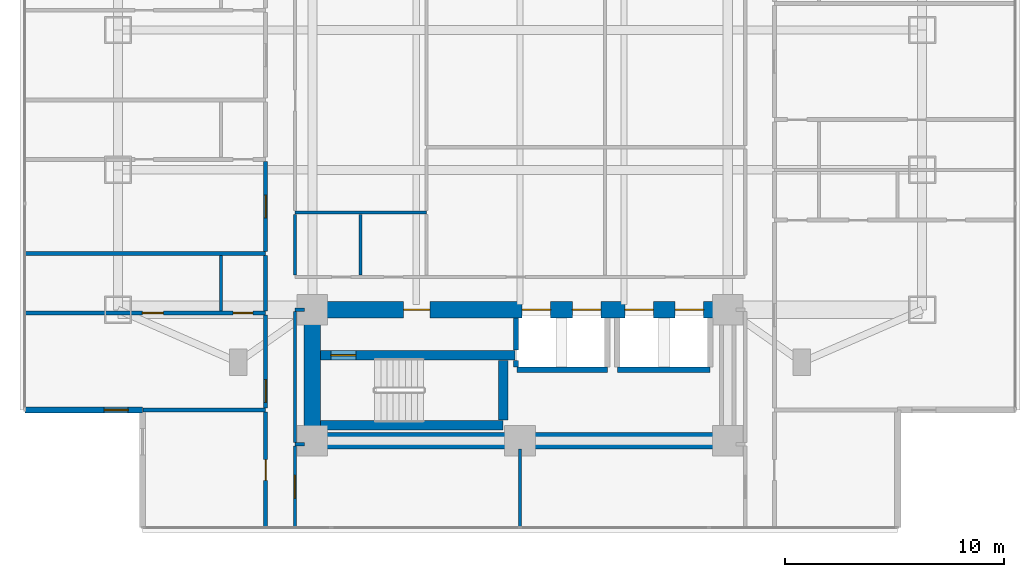
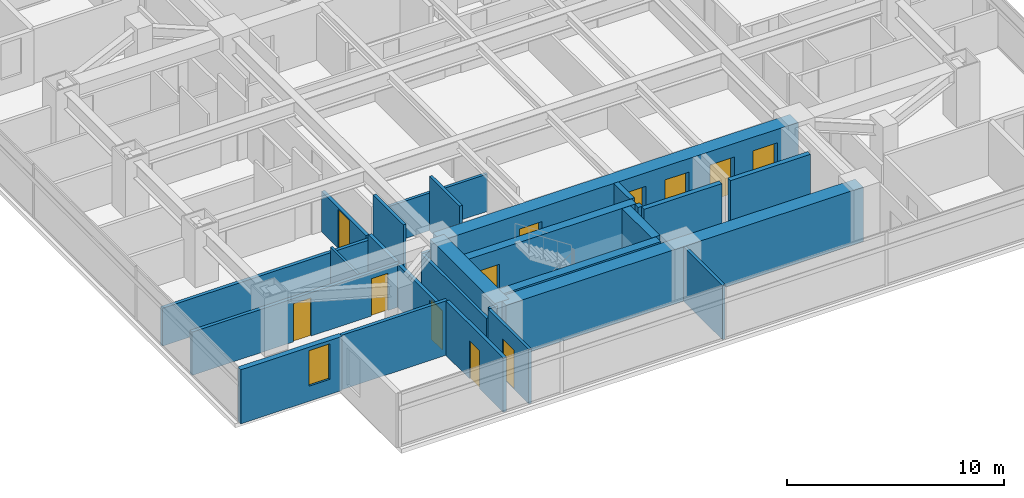
# One storey, part 14 of 27: 27 walls, 12 doors, 1 window, 13 openings.
"""IFC4 building model written with IfcOpenShell, lengths in metres."""

from ifc_helpers import new_model, si_unit, direction, frame, frame_2d, origin, place, context, subcontext, project, spatial, rectangle, extrude, material, layer, layer_set, type_object, element, fill, save


model = new_model("IFC4")

# Units and contexts
model_context = context("Model", 3, precision=1e-05, world=origin(), true_north=direction((0.0, 1.0)))
body_context = subcontext(model_context, "Body", "Model", "MODEL_VIEW")
ifc_project = project(units=[si_unit("LENGTHUNIT", "METRE"), si_unit("AREAUNIT", "SQUARE_METRE"), si_unit("VOLUMEUNIT", "CUBIC_METRE"), si_unit("PLANEANGLEUNIT", "RADIAN"), si_unit("MASSUNIT", "GRAM", prefix="KILO")], contexts=[model_context])

# Site, building, storey
site_placement = place(None, origin())
site = spatial("IfcSite", under=ifc_project, at=site_placement, CompositionType="ELEMENT")
building_placement = place(site_placement, origin())
building = spatial("IfcBuilding", under=site, at=building_placement, Name="Mirazonda Arch Towers", CompositionType="ELEMENT")
storey_placement = place(building_placement, frame((0.0, 0.0, 42.199951171875)))
storey = spatial("IfcBuildingStorey", under=building, at=storey_placement, Name="L11", CompositionType="ELEMENT", Elevation=42.199951171875)

# Wall
ifc_material_1 = material(Name="Concrete C50/60", Category="concrete")
ifc_layer_1 = layer(ifc_material_1, 0.449951171875, Name="WALL-CORE-450")
ifc_layer_set_1 = layer_set([ifc_layer_1], Name="Concrete C50/60")
wall_type_1 = type_object("IfcWallType", Name="WALL-CORE-450", PredefinedType="SHEAR", material=ifc_layer_set_1)
wall_1_placement = place(storey_placement, frame((11.3701171875, 13.1201171875, 0.0), z_axis=(0.0, 0.0, 1.0), x_axis=(1.0, 0.0, 0.0)))
element("IfcWall", 1, at=wall_1_placement, inside=storey, type_object=wall_type_1, Name="L11 Stair Core Shear Wall 003", PredefinedType="SHEAR", context=body_context, shape_type="SweptSolid", body=[
    extrude(rectangle(XDim=8.35986328125, YDim=0.449951171875, at=frame_2d((4.179931640625, 0.0))), origin(), (0.0, 0.0, 1.0), 3.06005859375),
])

# Wall, opening, door
wall_2_placement = place(storey_placement, frame((11.3701171875, 16.320068359375, 0.0), z_axis=(0.0, 0.0, 1.0), x_axis=(1.0, 0.0, 0.0)))
wall_2 = element("IfcWall", 2, at=wall_2_placement, inside=storey, type_object=wall_type_1, Name="L11 Stair Core Shear Wall 010", PredefinedType="SHEAR", context=body_context, shape_type="SweptSolid", body=[
    extrude(rectangle(XDim=8.909912109375, YDim=0.449951171875, at=frame_2d((4.455078125, 0.0))), origin(), (0.0, 0.0, 1.0), 3.06005859375),
])
opening_1_placement = place(wall_2_placement, frame((0.469970703125, 0.0, 0.0)))
opening_1 = element("IfcOpeningElement", 3, at=opening_1_placement, cuts=wall_2, Name="Opening DR-135", PredefinedType="OPENING", context=body_context, shape_type="SweptSolid", body=[
    extrude(rectangle(XDim=1.14990234375, YDim=2.199951171875, at=frame_2d((0.574951171875, 1.10009765625))), frame((0.0, 0.23486328125, 0.0), z_axis=(0.0, -1.0, 0.0), x_axis=(1.0, 0.0, 0.0)), (0.0, 0.0, 1.0), 0.469970703125),
])
ifc_material_2 = material(Name="Architectural Brushed Steel S355", Category="steel")
door_type_1 = type_object("IfcDoorType", Name="DOOR-STAIR-FD90-1150", OperationType="NOTDEFINED", PredefinedType="DOOR", material=ifc_material_2)
door_1_placement = place(opening_1_placement, origin())
door_1 = element("IfcDoor", 4, at=door_1_placement, inside=storey, type_object=door_type_1, Name="L11 Protected Exit Stair South Door", OperationType="SINGLE_SWING_LEFT", OverallHeight=2.199951171875, OverallWidth=1.14990234375, PredefinedType="DOOR", context=body_context, shape_type="SweptSolid", body=[
    extrude(rectangle(XDim=1.14990234375, YDim=2.199951171875, at=frame_2d((0.574951171875, 1.10009765625))), frame((0.0, 0.02490234375, 0.0), z_axis=(0.0, -1.0, 0.0), x_axis=(1.0, 0.0, 0.0)), (0.0, 0.0, 1.0), 0.050048828125),
])
fill(opening_1, door_1)

# Walls
wall_3_placement = place(storey_placement, frame((19.72998046875, 13.35498046875, 0.0), z_axis=(0.0, 0.0, 1.0), x_axis=(0.0, 1.0, 0.0)))
element("IfcWall", 5, at=wall_3_placement, inside=storey, type_object=wall_type_1, Name="L11 Stair Core Shear Wall 091", PredefinedType="SHEAR", context=body_context, shape_type="SweptSolid", body=[
    extrude(rectangle(XDim=2.72998046875, YDim=0.449951171875, at=frame_2d((1.364990234375, 0.0))), origin(), (0.0, 0.0, 1.0), 3.06005859375),
])
ifc_material_3 = material(Name="Concrete C60/75", Category="concrete")
ifc_layer_2 = layer(ifc_material_3, 0.75, Name="WALL-CORE-750")
ifc_layer_set_2 = layer_set([ifc_layer_2], Name="Concrete C60/75")
wall_type_2 = type_object("IfcWallType", Name="WALL-CORE-750", PredefinedType="SHEAR", material=ifc_layer_set_2)
wall_4_placement = place(storey_placement, frame((11.0, 12.39990234375, 0.0), z_axis=(0.0, 0.0, 1.0), x_axis=(1.0, 0.0, 0.0)))
element("IfcWall", 6, at=wall_4_placement, inside=storey, type_object=wall_type_2, Name="L11 T1S-S Core Shear Wall", PredefinedType="SHEAR", context=body_context, shape_type="SweptSolid", body=[
    extrude(rectangle(XDim=19.0, YDim=0.75, at=frame_2d((9.5, 0.0))), origin(), (0.0, 0.0, 1.0), 3.06005859375),
])
wall_5_placement = place(storey_placement, frame((11.0, 12.39990234375, 0.0), z_axis=(0.0, 0.0, 1.0), x_axis=(0.0, 1.0, 0.0)))
element("IfcWall", 7, at=wall_5_placement, inside=storey, type_object=wall_type_2, Name="L11 T1S-W Core Shear Wall", PredefinedType="SHEAR", context=body_context, shape_type="SweptSolid", body=[
    extrude(rectangle(XDim=6.0, YDim=0.75, at=frame_2d((3.0, 0.0))), origin(), (0.0, 0.0, 1.0), 3.06005859375),
])

# Wall, openings, doors
wall_6_placement = place(storey_placement, frame((11.0, 18.39990234375, 0.0), z_axis=(0.0, 0.0, 1.0), x_axis=(1.0, 0.0, 0.0)))
wall_6 = element("IfcWall", 8, at=wall_6_placement, inside=storey, type_object=wall_type_2, Name="L11 T1S-N Core Shear Wall", PredefinedType="SHEAR", context=body_context, shape_type="SweptSolid", body=[
    extrude(rectangle(XDim=19.0, YDim=0.75, at=frame_2d((9.5, 0.0))), origin(), (0.0, 0.0, 1.0), 3.06005859375),
])
opening_2_placement = place(wall_6_placement, frame((4.175048828125, 0.0, 0.0)))
opening_2 = element("IfcOpeningElement", 9, at=opening_2_placement, cuts=wall_6, Name="Opening DR-117", PredefinedType="OPENING", context=body_context, shape_type="SweptSolid", body=[
    extrude(rectangle(XDim=1.199951171875, YDim=2.25, at=frame_2d((0.60009765625, 1.125))), frame((0.0, 0.385009765625, 0.0), z_axis=(0.0, -1.0, 0.0), x_axis=(1.0, 0.0, 0.0)), (0.0, 0.0, 1.0), 0.77001953125),
])
opening_3_placement = place(wall_6_placement, frame((9.60009765625, 0.0, 0.0)))
opening_3 = element("IfcOpeningElement", 10, at=opening_3_placement, cuts=wall_6, Name="Opening LD-111", PredefinedType="OPENING", context=body_context, shape_type="SweptSolid", body=[
    extrude(rectangle(XDim=1.300048828125, YDim=2.300048828125, at=frame_2d((0.64990234375, 1.14990234375))), frame((0.0, 0.385009765625, 0.0), z_axis=(0.0, -1.0, 0.0), x_axis=(1.0, 0.0, 0.0)), (0.0, 0.0, 1.0), 0.77001953125),
])
opening_4_placement = place(wall_6_placement, frame((11.89990234375, 0.0, 0.0)))
opening_4 = element("IfcOpeningElement", 11, at=opening_4_placement, cuts=wall_6, Name="Opening LD-111", PredefinedType="OPENING", context=body_context, shape_type="SweptSolid", body=[
    extrude(rectangle(XDim=1.300048828125, YDim=2.300048828125, at=frame_2d((0.64990234375, 1.14990234375))), frame((0.0, 0.385009765625, 0.0), z_axis=(0.0, -1.0, 0.0), x_axis=(1.0, 0.0, 0.0)), (0.0, 0.0, 1.0), 0.77001953125),
])
opening_5_placement = place(wall_6_placement, frame((14.300048828125, 0.0, 0.0)))
opening_5 = element("IfcOpeningElement", 12, at=opening_5_placement, cuts=wall_6, Name="Opening LD-111", PredefinedType="OPENING", context=body_context, shape_type="SweptSolid", body=[
    extrude(rectangle(XDim=1.300048828125, YDim=2.300048828125, at=frame_2d((0.64990234375, 1.14990234375))), frame((0.0, 0.385009765625, 0.0), z_axis=(0.0, -1.0, 0.0), x_axis=(1.0, 0.0, 0.0)), (0.0, 0.0, 1.0), 0.77001953125),
])
opening_6_placement = place(wall_6_placement, frame((16.60009765625, 0.0, 0.0)))
opening_6 = element("IfcOpeningElement", 13, at=opening_6_placement, cuts=wall_6, Name="Opening LD-111", PredefinedType="OPENING", context=body_context, shape_type="SweptSolid", body=[
    extrude(rectangle(XDim=1.300048828125, YDim=2.300048828125, at=frame_2d((0.64990234375, 1.14990234375))), frame((0.0, 0.385009765625, 0.0), z_axis=(0.0, -1.0, 0.0), x_axis=(1.0, 0.0, 0.0)), (0.0, 0.0, 1.0), 0.77001953125),
])
door_type_2 = type_object("IfcDoorType", Name="DOOR-FFL-FD90-1200", OperationType="NOTDEFINED", PredefinedType="DOOR", material=ifc_material_2)
door_2_placement = place(opening_2_placement, origin())
door_2 = element("IfcDoor", 14, at=door_2_placement, inside=storey, type_object=door_type_2, Name="L11 South Core Stair & Lift Lobby Door", OperationType="SINGLE_SWING_RIGHT", OverallHeight=2.25, OverallWidth=1.199951171875, PredefinedType="DOOR", context=body_context, shape_type="SweptSolid", body=[
    extrude(rectangle(XDim=1.199951171875, YDim=2.25, at=frame_2d((0.60009765625, 1.125))), frame((0.0, 0.02490234375, 0.0), z_axis=(0.0, -1.0, 0.0), x_axis=(1.0, 0.0, 0.0)), (0.0, 0.0, 1.0), 0.050048828125),
])
fill(opening_2, door_2)
door_type_3 = type_object("IfcDoorType", Name="DOOR-LIFT-LAND-1300", OperationType="NOTDEFINED", PredefinedType="DOOR", material=ifc_material_2)
door_3_placement = place(opening_3_placement, origin())
door_3 = element("IfcDoor", 15, at=door_3_placement, inside=storey, type_object=door_type_3, Name="L11 Lift Landing Sliding Door PL-T1M1", OperationType="DOUBLE_DOOR_SLIDING", OverallHeight=2.300048828125, OverallWidth=1.300048828125, PredefinedType="DOOR", context=body_context, shape_type="SweptSolid", body=[
    extrude(rectangle(XDim=1.300048828125, YDim=2.300048828125, at=frame_2d((0.64990234375, 1.14990234375))), frame((0.0, 0.02490234375, 0.0), z_axis=(0.0, -1.0, 0.0), x_axis=(1.0, 0.0, 0.0)), (0.0, 0.0, 1.0), 0.050048828125),
])
fill(opening_3, door_3)
door_4_placement = place(opening_4_placement, origin())
door_4 = element("IfcDoor", 16, at=door_4_placement, inside=storey, type_object=door_type_3, Name="L11 Lift Landing Sliding Door PL-T1M2", OperationType="DOUBLE_DOOR_SLIDING", OverallHeight=2.300048828125, OverallWidth=1.300048828125, PredefinedType="DOOR", context=body_context, shape_type="SweptSolid", body=[
    extrude(rectangle(XDim=1.300048828125, YDim=2.300048828125, at=frame_2d((0.64990234375, 1.14990234375))), frame((0.0, 0.02490234375, 0.0), z_axis=(0.0, -1.0, 0.0), x_axis=(1.0, 0.0, 0.0)), (0.0, 0.0, 1.0), 0.050048828125),
])
fill(opening_4, door_4)
door_5_placement = place(opening_5_placement, origin())
door_5 = element("IfcDoor", 17, at=door_5_placement, inside=storey, type_object=door_type_3, Name="L11 Lift Landing Sliding Door PL-T1H1", OperationType="DOUBLE_DOOR_SLIDING", OverallHeight=2.300048828125, OverallWidth=1.300048828125, PredefinedType="DOOR", context=body_context, shape_type="SweptSolid", body=[
    extrude(rectangle(XDim=1.300048828125, YDim=2.300048828125, at=frame_2d((0.64990234375, 1.14990234375))), frame((0.0, 0.02490234375, 0.0), z_axis=(0.0, -1.0, 0.0), x_axis=(1.0, 0.0, 0.0)), (0.0, 0.0, 1.0), 0.050048828125),
])
fill(opening_5, door_5)
door_6_placement = place(opening_6_placement, origin())
door_6 = element("IfcDoor", 18, at=door_6_placement, inside=storey, type_object=door_type_3, Name="L11 Lift Landing Sliding Door PL-T1H2", OperationType="DOUBLE_DOOR_SLIDING", OverallHeight=2.300048828125, OverallWidth=1.300048828125, PredefinedType="DOOR", context=body_context, shape_type="SweptSolid", body=[
    extrude(rectangle(XDim=1.300048828125, YDim=2.300048828125, at=frame_2d((0.64990234375, 1.14990234375))), frame((0.0, 0.02490234375, 0.0), z_axis=(0.0, -1.0, 0.0), x_axis=(1.0, 0.0, 0.0)), (0.0, 0.0, 1.0), 0.050048828125),
])
fill(opening_6, door_6)

# Wall, opening, window
ifc_material_4 = material(Name="Precast Concrete C40/50", Category="concrete")
ifc_layer_3 = layer(ifc_material_4, 0.280029296875, Name="WALL-EXT-WALL-280")
ifc_layer_set_3 = layer_set([ifc_layer_3], Name="Precast Concrete C40/50")
wall_type_3 = type_object("IfcWallType", Name="WALL-EXT-WALL-280", PredefinedType="SOLIDWALL", material=ifc_layer_set_3)
wall_7_placement = place(storey_placement, frame((-2.159912109375, 13.81201171875, 0.0), z_axis=(0.0, 0.0, 1.0), x_axis=(1.0, 0.0, 0.0)))
wall_7 = element("IfcWall", 19, at=wall_7_placement, inside=storey, type_object=wall_type_3, Name="L11 T1 Corner Notch Return Wall WL-L11-T1-CSW2", PredefinedType="SOLIDWALL", context=body_context, shape_type="SweptSolid", body=[
    extrude(rectangle(XDim=5.3798828125, YDim=0.280029296875, at=frame_2d((2.68994140625, 0.0))), origin(), (0.0, 0.0, 1.0), 3.0400390625),
])
opening_7_placement = place(wall_7_placement, frame((3.6298828125, 0.0, 0.85009765625)))
opening_7 = element("IfcOpeningElement", 20, at=opening_7_placement, cuts=wall_7, Name="Opening WN-108", PredefinedType="OPENING", context=body_context, shape_type="SweptSolid", body=[
    extrude(rectangle(XDim=1.10009765625, YDim=2.0, at=frame_2d((0.550048828125, 1.0))), frame((0.0, 0.14990234375, 0.0), z_axis=(0.0, -1.0, 0.0), x_axis=(1.0, 0.0, 0.0)), (0.0, 0.0, 1.0), 0.300048828125),
])
ifc_material_5 = material(Name="Insulated Low-E Solar Glass", Category="glass")
window_type = type_object("IfcWindowType", Name="WIN-NOTCH-1100x2000", PartitioningType="SINGLE_PANEL", PredefinedType="WINDOW", material=ifc_material_5)
window_placement = place(opening_7_placement, origin())
window = element("IfcWindow", 21, at=window_placement, inside=storey, type_object=window_type, Name="L11 Punched Facade Window WN-L11-T1-CSW2", OverallHeight=2.0, OverallWidth=1.10009765625, PartitioningType="SINGLE_PANEL", PredefinedType="WINDOW", context=body_context, shape_type="SweptSolid", body=[
    extrude(rectangle(XDim=1.10009765625, YDim=2.0, at=frame_2d((0.550048828125, 1.0))), frame((0.0, 0.030029296875, 0.0), z_axis=(0.0, -1.0, 0.0), x_axis=(1.0, 0.0, 0.0)), (0.0, 0.0, 1.0), 0.06005859375),
])
fill(opening_7, window)

# Walls
ifc_material_6 = material(Name="Fire-Rated Gypsum Stud Partition")
ifc_layer_4 = layer(ifc_material_6, 0.14990234375, Name="WALL-PART-CORR-150")
ifc_layer_set_4 = layer_set([ifc_layer_4], Name="Fire-Rated Gypsum Stud Partition")
wall_type_4 = type_object("IfcWallType", Name="WALL-PART-CORR-150", PredefinedType="PARTITIONING", material=ifc_layer_set_4)
wall_8_placement = place(storey_placement, frame((10.199951171875, 12.25, 0.0), z_axis=(0.0, 0.0, 1.0), x_axis=(1.0, 0.0, 0.0)))
element("IfcWall", 22, at=wall_8_placement, inside=storey, type_object=wall_type_4, Name="L11 Interior Partition 001", PredefinedType="PARTITIONING", context=body_context, shape_type="SweptSolid", body=[
    extrude(rectangle(XDim=0.429931640625, YDim=0.14990234375, at=frame_2d((0.21484375, 0.0))), origin(), (0.0, 0.0, 1.0), 3.06005859375),
])
wall_9_placement = place(storey_placement, frame((10.199951171875, 18.39990234375, 0.0), z_axis=(0.0, 0.0, 1.0), x_axis=(1.0, 0.0, 0.0)))
element("IfcWall", 23, at=wall_9_placement, inside=storey, type_object=wall_type_4, Name="L11 Interior Partition 013", PredefinedType="PARTITIONING", context=body_context, shape_type="SweptSolid", body=[
    extrude(rectangle(XDim=0.429931640625, YDim=0.14990234375, at=frame_2d((0.21484375, 0.0))), origin(), (0.0, 0.0, 1.0), 2.43603515625),
])
wall_10_placement = place(storey_placement, frame((10.199951171875, 22.85009765625, 0.0), z_axis=(0.0, 0.0, 1.0), x_axis=(1.0, 0.0, 0.0)))
element("IfcWall", 24, at=wall_10_placement, inside=storey, type_object=wall_type_4, Name="L11 Interior Partition 024", PredefinedType="PARTITIONING", context=body_context, shape_type="SweptSolid", body=[
    extrude(rectangle(XDim=6.02001953125, YDim=0.14990234375, at=frame_2d((3.010009765625, 0.0))), origin(), (0.0, 0.0, 1.0), 2.10400390625),
])

# Wall, opening, door
wall_11_placement = place(storey_placement, frame((10.199951171875, 8.431884765625, 0.0), z_axis=(0.0, 0.0, 1.0), x_axis=(0.0, 1.0, 0.0)))
wall_11 = element("IfcWall", 25, at=wall_11_placement, inside=storey, type_object=wall_type_4, Name="L11 Interior Partition 079", PredefinedType="PARTITIONING", context=body_context, shape_type="SweptSolid", body=[
    extrude(rectangle(XDim=3.733154296875, YDim=0.14990234375, at=frame_2d((1.86669921875, 0.0))), origin(), (0.0, 0.0, 1.0), 3.06005859375),
])
opening_8_placement = place(wall_11_placement, frame((1.341552734375, 0.0, 0.0)))
opening_8 = element("IfcOpeningElement", 26, at=opening_8_placement, cuts=wall_11, Name="Opening DR-121", PredefinedType="OPENING", context=body_context, shape_type="SweptSolid", body=[
    extrude(rectangle(XDim=1.050048828125, YDim=2.199951171875, at=frame_2d((0.52490234375, 1.10009765625))), frame((0.0, 0.0849609375, 0.0), z_axis=(0.0, -1.0, 0.0), x_axis=(1.0, 0.0, 0.0)), (0.0, 0.0, 1.0), 0.169921875),
])
door_type_4 = type_object("IfcDoorType", Name="DOOR-SUITE-FD60-1050", OperationType="NOTDEFINED", PredefinedType="DOOR", material=ifc_material_2)
door_7_placement = place(opening_8_placement, origin())
door_7 = element("IfcDoor", 27, at=door_7_placement, inside=storey, type_object=door_type_4, Name="L11 South Panoramic Study West Door", OperationType="SINGLE_SWING_LEFT", OverallHeight=2.199951171875, OverallWidth=1.050048828125, PredefinedType="DOOR", context=body_context, shape_type="SweptSolid", body=[
    extrude(rectangle(XDim=1.050048828125, YDim=2.199951171875, at=frame_2d((0.52490234375, 1.10009765625))), frame((0.0, 0.02490234375, 0.0), z_axis=(0.0, -1.0, 0.0), x_axis=(1.0, 0.0, 0.0)), (0.0, 0.0, 1.0), 0.050048828125),
])
fill(opening_8, door_7)

# Walls
wall_12_placement = place(storey_placement, frame((10.199951171875, 12.3349609375, 0.0), z_axis=(0.0, 0.0, 1.0), x_axis=(0.0, 1.0, 0.0)))
element("IfcWall", 28, at=wall_12_placement, inside=storey, type_object=wall_type_4, Name="L11 Interior Partition 080", PredefinedType="PARTITIONING", context=body_context, shape_type="SweptSolid", body=[
    extrude(rectangle(XDim=5.97998046875, YDim=0.14990234375, at=frame_2d((2.989990234375, 0.0))), origin(), (0.0, 0.0, 1.0), 2.43603515625),
])
for number, where, z_axis, x_axis, name in (
    (29, (10.206787109375, 19.985107421875, 0.0), (0.0, 0.0, 1.0), (0.0, 1.0, 0.0), "L11 Interior Partition 081"),
    (30, (13.199951171875, 19.985107421875, 0.0), (0.0, 0.0, 1.0), (0.0, 1.0, 0.0), "L11 Interior Partition 086"),
):
    element("IfcWall", number, at=place(storey_placement, frame(where, z_axis=z_axis, x_axis=x_axis)), inside=storey, type_object=wall_type_4, Name=name, PredefinedType="PARTITIONING", context=body_context, shape_type="SweptSolid", body=[
        extrude(rectangle(XDim=2.77978515625, YDim=0.14990234375, at=frame_2d((1.389892578125, 0.0))), origin(), (0.0, 0.0, 1.0), 3.06005859375),
    ])
wall_13_placement = place(storey_placement, frame((20.5, 8.431884765625, 0.0), z_axis=(0.0, 0.0, 1.0), x_axis=(0.0, 1.0, 0.0)))
element("IfcWall", 31, at=wall_13_placement, inside=storey, type_object=wall_type_4, Name="L11 Interior Partition 095", PredefinedType="PARTITIONING", context=body_context, shape_type="SweptSolid", body=[
    extrude(rectangle(XDim=3.59814453125, YDim=0.14990234375, at=frame_2d((1.799072265625, 0.0))), origin(), (0.0, 0.0, 1.0), 3.06005859375),
])
ifc_material_7 = material(Name="Fire-Rated Gypsum Twin-Stud Assembly")
ifc_layer_5 = layer(ifc_material_7, 0.179931640625, Name="WALL-PART-DEMISE-180")
ifc_layer_set_5 = layer_set([ifc_layer_5], Name="Fire-Rated Gypsum Twin-Stud Assembly")
wall_type_5 = type_object("IfcWallType", Name="WALL-PART-DEMISE-180", PredefinedType="PARTITIONING", material=ifc_layer_set_5)
wall_14_placement = place(storey_placement, frame((3.239990234375, 13.81201171875, 0.0), z_axis=(0.0, 0.0, 1.0), x_axis=(1.0, 0.0, 0.0)))
element("IfcWall", 32, at=wall_14_placement, inside=storey, type_object=wall_type_5, Name="L11 Interior Partition 004", PredefinedType="PARTITIONING", context=body_context, shape_type="SweptSolid", body=[
    extrude(rectangle(XDim=5.6201171875, YDim=0.179931640625, at=frame_2d((2.81005859375, 0.0))), origin(), (0.0, 0.0, 1.0), 3.06005859375),
])

# Wall, openings, doors
wall_15_placement = place(storey_placement, frame((-2.159912109375, 18.2529296875, 0.0), z_axis=(0.0, 0.0, 1.0), x_axis=(1.0, 0.0, 0.0)))
wall_15 = element("IfcWall", 33, at=wall_15_placement, inside=storey, type_object=wall_type_5, Name="L11 Interior Partition 012", PredefinedType="PARTITIONING", context=body_context, shape_type="SweptSolid", body=[
    extrude(rectangle(XDim=11.02001953125, YDim=0.179931640625, at=frame_2d((5.510009765625, 0.0))), origin(), (0.0, 0.0, 1.0), 2.43603515625),
])
opening_9_placement = place(wall_15_placement, frame((5.385009765625, 0.0, 0.0)))
opening_9 = element("IfcOpeningElement", 34, at=opening_9_placement, cuts=wall_15, Name="Opening DR-104", PredefinedType="OPENING", context=body_context, shape_type="SweptSolid", body=[
    extrude(rectangle(XDim=0.949951171875, YDim=2.14990234375, at=frame_2d((0.47509765625, 1.074951171875))), frame((0.0, 0.099853515625, 0.0), z_axis=(0.0, -1.0, 0.0), x_axis=(1.0, 0.0, 0.0)), (0.0, 0.0, 1.0), 0.199951171875),
])
opening_10_placement = place(wall_15_placement, frame((9.530029296875, 0.0, 0.0)))
opening_10 = element("IfcOpeningElement", 35, at=opening_10_placement, cuts=wall_15, Name="Opening DR-120", PredefinedType="OPENING", context=body_context, shape_type="SweptSolid", body=[
    extrude(rectangle(XDim=0.89990234375, YDim=2.10009765625, at=frame_2d((0.449951171875, 1.050048828125))), frame((0.0, 0.099853515625, 0.0), z_axis=(0.0, -1.0, 0.0), x_axis=(1.0, 0.0, 0.0)), (0.0, 0.0, 1.0), 0.199951171875),
])
door_type_5 = type_object("IfcDoorType", Name="DOOR-ROOM-950", OperationType="NOTDEFINED", PredefinedType="DOOR", material=ifc_material_2)
door_8_placement = place(opening_9_placement, origin())
door_8 = element("IfcDoor", 36, at=door_8_placement, inside=storey, type_object=door_type_5, Name="L11 Studio 1 Galley Kitchen Door", OperationType="SINGLE_SWING_RIGHT", OverallHeight=2.14990234375, OverallWidth=0.949951171875, PredefinedType="DOOR", context=body_context, shape_type="SweptSolid", body=[
    extrude(rectangle(XDim=0.949951171875, YDim=2.14990234375, at=frame_2d((0.47509765625, 1.074951171875))), frame((0.0, 0.02490234375, 0.0), z_axis=(0.0, -1.0, 0.0), x_axis=(1.0, 0.0, 0.0)), (0.0, 0.0, 1.0), 0.050048828125),
])
fill(opening_9, door_8)
door_type_6 = type_object("IfcDoorType", Name="DOOR-WC-900", OperationType="NOTDEFINED", PredefinedType="DOOR", material=ifc_material_2)
door_9_placement = place(opening_10_placement, origin())
door_9 = element("IfcDoor", 37, at=door_9_placement, inside=storey, type_object=door_type_6, Name="L11 Studio 1 Bathroom Door", OperationType="SINGLE_SWING_LEFT", OverallHeight=2.10009765625, OverallWidth=0.89990234375, PredefinedType="DOOR", context=body_context, shape_type="SweptSolid", body=[
    extrude(rectangle(XDim=0.89990234375, YDim=2.10009765625, at=frame_2d((0.449951171875, 1.050048828125))), frame((0.0, 0.02490234375, 0.0), z_axis=(0.0, -1.0, 0.0), x_axis=(1.0, 0.0, 0.0)), (0.0, 0.0, 1.0), 0.050048828125),
])
fill(opening_10, door_9)

# Wall
wall_16_placement = place(storey_placement, frame((-2.159912109375, 20.972900390625, 0.0), z_axis=(0.0, 0.0, 1.0), x_axis=(1.0, 0.0, 0.0)))
element("IfcWall", 38, at=wall_16_placement, inside=storey, type_object=wall_type_5, Name="L11 Interior Partition 019", PredefinedType="PARTITIONING", context=body_context, shape_type="SweptSolid", body=[
    extrude(rectangle(XDim=11.02001953125, YDim=0.179931640625, at=frame_2d((5.510009765625, 0.0))), origin(), (0.0, 0.0, 1.0), 2.125),
])

# Wall, opening, door
wall_17_placement = place(storey_placement, frame((8.860107421875, 8.431884765625, 0.0), z_axis=(0.0, 0.0, 1.0), x_axis=(0.0, 1.0, 0.0)))
wall_17 = element("IfcWall", 39, at=wall_17_placement, inside=storey, type_object=wall_type_5, Name="L11 Interior Partition 069", PredefinedType="PARTITIONING", context=body_context, shape_type="SweptSolid", body=[
    extrude(rectangle(XDim=5.280029296875, YDim=0.179931640625, at=frame_2d((2.64013671875, 0.0))), origin(), (0.0, 0.0, 1.0), 3.06005859375),
])
opening_11_placement = place(wall_17_placement, frame((2.1650390625, 0.0, 0.0)))
opening_11 = element("IfcOpeningElement", 40, at=opening_11_placement, cuts=wall_17, Name="Opening DR-104", PredefinedType="OPENING", context=body_context, shape_type="SweptSolid", body=[
    extrude(rectangle(XDim=0.949951171875, YDim=2.14990234375, at=frame_2d((0.47509765625, 1.074951171875))), frame((0.0, 0.099853515625, 0.0), z_axis=(0.0, -1.0, 0.0), x_axis=(1.0, 0.0, 0.0)), (0.0, 0.0, 1.0), 0.199951171875),
])
door_10_placement = place(opening_11_placement, origin())
door_10 = element("IfcDoor", 41, at=door_10_placement, inside=storey, type_object=door_type_5, Name="L11 South Panoramic Study Alcove West Door", OperationType="SINGLE_SWING_LEFT", OverallHeight=2.14990234375, OverallWidth=0.949951171875, PredefinedType="DOOR", context=body_context, shape_type="SweptSolid", body=[
    extrude(rectangle(XDim=0.949951171875, YDim=2.14990234375, at=frame_2d((0.47509765625, 1.074951171875))), frame((0.0, 0.02490234375, 0.0), z_axis=(0.0, -1.0, 0.0), x_axis=(1.0, 0.0, 0.0)), (0.0, 0.0, 1.0), 0.050048828125),
])
fill(opening_11, door_10)

wall_18_placement = place(storey_placement, frame((8.860107421875, 13.912109375, 0.0), z_axis=(0.0, 0.0, 1.0), x_axis=(0.0, 1.0, 0.0)))
wall_18 = element("IfcWall", 42, at=wall_18_placement, inside=storey, type_object=wall_type_5, Name="L11 Interior Partition 070", PredefinedType="PARTITIONING", context=body_context, shape_type="SweptSolid", body=[
    extrude(rectangle(XDim=4.240966796875, YDim=0.179931640625, at=frame_2d((2.12060546875, 0.0))), origin(), (0.0, 0.0, 1.0), 2.43603515625),
])
opening_12_placement = place(wall_18_placement, frame((0.24560546875, 0.0, 0.0)))
opening_12 = element("IfcOpeningElement", 43, at=opening_12_placement, cuts=wall_18, Name="Opening DR-121", PredefinedType="OPENING", context=body_context, shape_type="SweptSolid", body=[
    extrude(rectangle(XDim=1.050048828125, YDim=2.199951171875, at=frame_2d((0.52490234375, 1.10009765625))), frame((0.0, 0.099853515625, 0.0), z_axis=(0.0, -1.0, 0.0), x_axis=(1.0, 0.0, 0.0)), (0.0, 0.0, 1.0), 0.199951171875),
])
door_11_placement = place(opening_12_placement, origin())
door_11 = element("IfcDoor", 44, at=door_11_placement, inside=storey, type_object=door_type_4, Name="L11 Studio Apartment 1 Living Salon Door", OperationType="SINGLE_SWING_LEFT", OverallHeight=2.199951171875, OverallWidth=1.050048828125, PredefinedType="DOOR", context=body_context, shape_type="SweptSolid", body=[
    extrude(rectangle(XDim=1.050048828125, YDim=2.199951171875, at=frame_2d((0.52490234375, 1.10009765625))), frame((0.0, 0.02490234375, 0.0), z_axis=(0.0, -1.0, 0.0), x_axis=(1.0, 0.0, 0.0)), (0.0, 0.0, 1.0), 0.050048828125),
])
fill(opening_12, door_11)

# Wall
wall_19_placement = place(storey_placement, frame((8.860107421875, 18.35302734375, 0.0), z_axis=(0.0, 0.0, 1.0), x_axis=(0.0, 1.0, 0.0)))
element("IfcWall", 45, at=wall_19_placement, inside=storey, type_object=wall_type_5, Name="L11 Interior Partition 071", PredefinedType="PARTITIONING", context=body_context, shape_type="SweptSolid", body=[
    extrude(rectangle(XDim=2.52001953125, YDim=0.179931640625, at=frame_2d((1.260009765625, 0.0))), origin(), (0.0, 0.0, 1.0), 2.4521484375),
])

# Wall, opening, door
wall_20_placement = place(storey_placement, frame((8.860107421875, 21.072998046875, 0.0), z_axis=(0.0, 0.0, 1.0), x_axis=(0.0, 1.0, 0.0)))
wall_20 = element("IfcWall", 46, at=wall_20_placement, inside=storey, type_object=wall_type_5, Name="L11 Interior Partition 072", PredefinedType="PARTITIONING", context=body_context, shape_type="SweptSolid", body=[
    extrude(rectangle(XDim=4.10693359375, YDim=0.179931640625, at=frame_2d((2.053466796875, 0.0))), origin(), (0.0, 0.0, 1.0), 2.279052734375),
])
opening_13_placement = place(wall_20_placement, frame((1.528564453125, 0.0, 0.0)))
opening_13 = element("IfcOpeningElement", 47, at=opening_13_placement, cuts=wall_20, Name="Opening DR-121", PredefinedType="OPENING", context=body_context, shape_type="SweptSolid", body=[
    extrude(rectangle(XDim=1.050048828125, YDim=2.199951171875, at=frame_2d((0.52490234375, 1.10009765625))), frame((0.0, 0.099853515625, 0.0), z_axis=(0.0, -1.0, 0.0), x_axis=(1.0, 0.0, 0.0)), (0.0, 0.0, 1.0), 0.199951171875),
])
door_12_placement = place(opening_13_placement, origin())
door_12 = element("IfcDoor", 48, at=door_12_placement, inside=storey, type_object=door_type_4, Name="L11 Studio Apartment 2 Living Salon Door", OperationType="SINGLE_SWING_RIGHT", OverallHeight=2.199951171875, OverallWidth=1.050048828125, PredefinedType="DOOR", context=body_context, shape_type="SweptSolid", body=[
    extrude(rectangle(XDim=1.050048828125, YDim=2.199951171875, at=frame_2d((0.52490234375, 1.10009765625))), frame((0.0, 0.02490234375, 0.0), z_axis=(0.0, -1.0, 0.0), x_axis=(1.0, 0.0, 0.0)), (0.0, 0.0, 1.0), 0.050048828125),
])
fill(opening_13, door_12)

# Walls
ifc_material_8 = material(Name="Acoustic Fire-Rated Gypsum Partition")
ifc_layer_6 = layer(ifc_material_8, 0.125, Name="WALL-PART-UNIT-125")
ifc_layer_set_6 = layer_set([ifc_layer_6], Name="Acoustic Fire-Rated Gypsum Partition")
wall_type_6 = type_object("IfcWallType", Name="WALL-PART-UNIT-125", PredefinedType="PARTITIONING", material=ifc_layer_set_6)
wall_21_placement = place(storey_placement, frame((6.820068359375, 18.35302734375, 0.0), z_axis=(0.0, 0.0, 1.0), x_axis=(0.0, 1.0, 0.0)))
element("IfcWall", 49, at=wall_21_placement, inside=storey, type_object=wall_type_6, Name="L11 Interior Partition 065", PredefinedType="PARTITIONING", context=body_context, shape_type="SweptSolid", body=[
    extrude(rectangle(XDim=2.52001953125, YDim=0.125, at=frame_2d((1.260009765625, 0.0))), origin(), (0.0, 0.0, 1.0), 2.4521484375),
])
ifc_material_9 = material(Name="Concrete C40/50", Category="concrete")
ifc_layer_7 = layer(ifc_material_9, 0.25, Name="WALL-SHAFT-250")
ifc_layer_set_7 = layer_set([ifc_layer_7], Name="Concrete C40/50")
wall_type_7 = type_object("IfcWallType", Name="WALL-SHAFT-250", PredefinedType="SOLIDWALL", material=ifc_layer_set_7)
wall_22_placement = place(storey_placement, frame((20.35009765625, 15.64990234375, 0.0), z_axis=(0.0, 0.0, 1.0), x_axis=(1.0, 0.0, 0.0)))
element("IfcWall", 50, at=wall_22_placement, inside=storey, type_object=wall_type_7, Name="L11 Interior Partition 006", PredefinedType="SOLIDWALL", context=body_context, shape_type="SweptSolid", body=[
    extrude(rectangle(XDim=4.14990234375, YDim=0.25, at=frame_2d((2.074951171875, 0.0))), origin(), (0.0, 0.0, 1.0), 3.06005859375),
])
wall_23_placement = place(storey_placement, frame((24.949951171875, 15.64990234375, 0.0), z_axis=(0.0, 0.0, 1.0), x_axis=(1.0, 0.0, 0.0)))
element("IfcWall", 51, at=wall_23_placement, inside=storey, type_object=wall_type_7, Name="L11 Interior Partition 007", PredefinedType="SOLIDWALL", context=body_context, shape_type="SweptSolid", body=[
    extrude(rectangle(XDim=4.25, YDim=0.25, at=frame_2d((2.125, 0.0))), origin(), (0.0, 0.0, 1.0), 3.06005859375),
])
wall_24_placement = place(storey_placement, frame((20.31494140625, 15.784912109375, 0.0), z_axis=(0.0, 0.0, 1.0), x_axis=(0.0, 1.0, 0.0)))
element("IfcWall", 52, at=wall_24_placement, inside=storey, type_object=wall_type_7, Name="L11 Interior Partition 093", PredefinedType="SOLIDWALL", context=body_context, shape_type="SweptSolid", body=[
    extrude(rectangle(XDim=0.300048828125, YDim=0.25, at=frame_2d((0.14990234375, 0.0))), origin(), (0.0, 0.0, 1.0), 3.06005859375),
])
wall_25_placement = place(storey_placement, frame((20.31494140625, 16.554931640625, 0.0), z_axis=(0.0, 0.0, 1.0), x_axis=(0.0, 1.0, 0.0)))
element("IfcWall", 53, at=wall_25_placement, inside=storey, type_object=wall_type_7, Name="L11 Interior Partition 094", PredefinedType="SOLIDWALL", context=body_context, shape_type="SweptSolid", body=[
    extrude(rectangle(XDim=1.47509765625, YDim=0.25, at=frame_2d((0.737548828125, 0.0))), origin(), (0.0, 0.0, 1.0), 3.06005859375),
])

save(model, "model.ifc")
